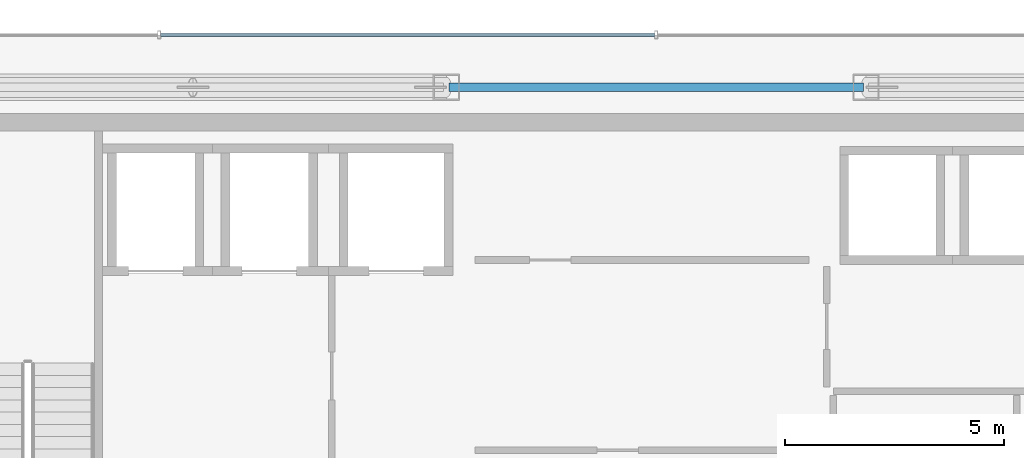
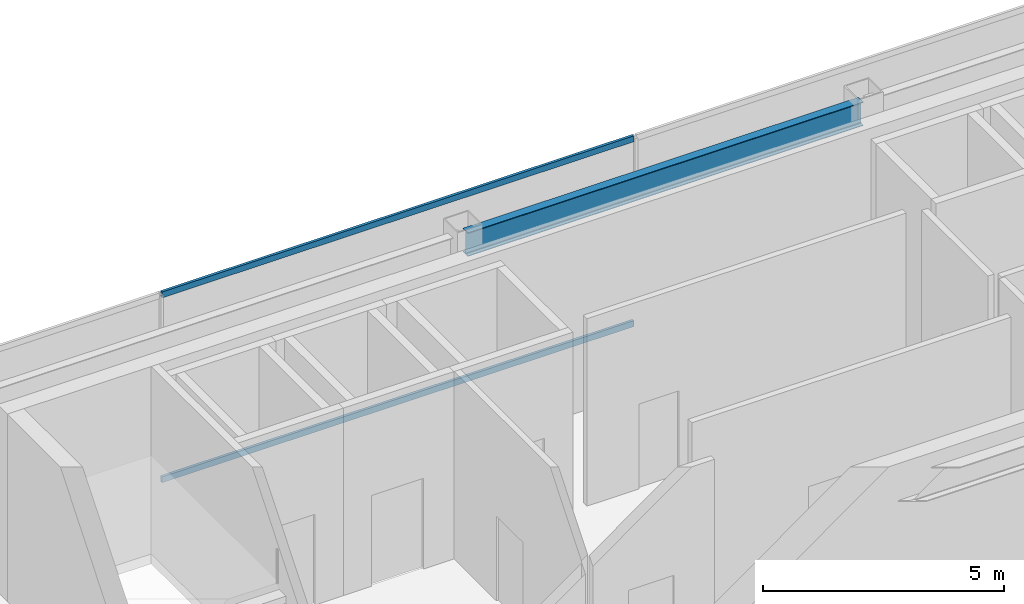
# One storey, part 8 of 20: 2 members, 1 beam, 1 element without a shape of its own.
"""IFC4 building model written with IfcOpenShell, lengths in metres."""

from ifc_helpers import new_model, si_unit, direction, frame, origin, origin_2d, place, context, subcontext, project, spatial, hollow_rectangle, i_section, extrude, material, material_profile, profile_set, type_object, element, aggregate, save


model = new_model("IFC4")

# Units and contexts
model_context = context("Model", 3, precision=1e-05, world=origin(), true_north=direction((0.0, 1.0)))
body_context = subcontext(model_context, "Body", "Model", "MODEL_VIEW")
ifc_project = project(units=[si_unit("LENGTHUNIT", "METRE"), si_unit("AREAUNIT", "SQUARE_METRE"), si_unit("VOLUMEUNIT", "CUBIC_METRE"), si_unit("PLANEANGLEUNIT", "RADIAN"), si_unit("MASSUNIT", "GRAM", prefix="KILO")], contexts=[model_context])

# Site, building, storey
site_placement = place(None, origin())
site = spatial("IfcSite", under=ifc_project, at=site_placement, CompositionType="ELEMENT")
building_placement = place(site_placement, origin())
building = spatial("IfcBuilding", under=site, at=building_placement, Name="Saevonmaru Cultural Tower", CompositionType="ELEMENT")
storey_placement = place(building_placement, frame((0.0, 0.0, 314.199951171875)))
storey = spatial("IfcBuildingStorey", under=building, at=storey_placement, Name="L75", CompositionType="ELEMENT", Elevation=314.199951171875)

# Beam
ifc_material_1 = material(Name="Steel SM355", Category="steel")
ifc_material_profile_1 = material_profile(ifc_material_1, i_section(OverallWidth=0.199951171875, OverallDepth=0.60009765625, WebThickness=0.010986328125, FlangeThickness=0.01708984375, FilletRadius=0.02197265625, at=origin_2d()), Name="H-600x200x11x17")
ifc_profile_set_1 = profile_set([ifc_material_profile_1], Name="Steel SM355")
beam_type = type_object("IfcBeamType", Name="BM-SP-H600", PredefinedType="SPANDREL", material=ifc_profile_set_1)
beam_placement = place(storey_placement, frame((25.260009765625, 54.800048828125, 4.449951171875), z_axis=(1.0, 0.0, 0.0), x_axis=(0.0, 1.0, 0.0)))
element("IfcBeam", 1, at=beam_placement, inside=storey, type_object=beam_type, Name="L75 North Spine Girder 3", PredefinedType="SPANDREL", context=body_context, shape_type="SweptSolid", body=[
    extrude(i_section(OverallWidth=0.199951171875, OverallDepth=0.60009765625, WebThickness=0.010986328125, FlangeThickness=0.01708984375, FilletRadius=0.02197265625, at=origin_2d()), origin(), (0.0, 0.0, 1.0), 9.47998046875),
])

# Curtain wall, members
ifc_material_2 = material(Name="Satin Bronze Anodised Aluminium", Category="aluminium")
curtain_wall_type = type_object("IfcCurtainWallType", Name="CW-TYP-B", PredefinedType="NOTDEFINED", material=ifc_material_2)
curtain_wall_placement = place(storey_placement, origin())
curtain_wall = element("IfcCurtainWall", 2, at=curtain_wall_placement, inside=storey, type_object=curtain_wall_type, Name="L75 Wind-Floor Acoustic Louvre Screen E10", PredefinedType="NOTDEFINED")
ifc_material_profile_2 = material_profile(ifc_material_2, hollow_rectangle(XDim=0.06494140625, YDim=0.14990234375, WallThickness=0.00390625, at=origin_2d()), Name="ALU-TRAN-150x65x4")
ifc_profile_set_2 = profile_set([ifc_material_profile_2], Name="Satin Bronze Anodised Aluminium")
member_type = type_object("IfcMemberType", Name="TR-CW-150x65", PredefinedType="USERDEFINED", material=ifc_profile_set_2)
member_1_placement = place(storey_placement, frame((29.967529296875, 56.0, 0.032470703125), z_axis=(-1.0, 0.0, 0.0), x_axis=(0.0, -1.0, 0.0)))
member_1 = element("IfcMember", 3, at=member_1_placement, type_object=member_type, Name="CW-TW-L75-E10 transom 3.1", ObjectType="TRANSOM", PredefinedType="USERDEFINED", context=body_context, shape_type="SweptSolid", body=[
    extrude(hollow_rectangle(XDim=0.06494140625, YDim=0.14990234375, WallThickness=0.00390625, at=origin_2d()), origin(), (0.0, 0.0, 1.0), 11.304931640625),
])
member_2_placement = place(storey_placement, frame((29.967529296875, 56.0, 4.717529296875), z_axis=(-1.0, 0.0, 0.0), x_axis=(0.0, -1.0, 0.0)))
member_2 = element("IfcMember", 4, at=member_2_placement, type_object=member_type, Name="CW-TW-L75-E10 transom 3.2", ObjectType="TRANSOM", PredefinedType="USERDEFINED", context=body_context, shape_type="SweptSolid", body=[
    extrude(hollow_rectangle(XDim=0.06494140625, YDim=0.14990234375, WallThickness=0.00390625, at=origin_2d()), origin(), (0.0, 0.0, 1.0), 11.304931640625),
])
aggregate(curtain_wall, [member_1, member_2])

save(model, "model.ifc")
